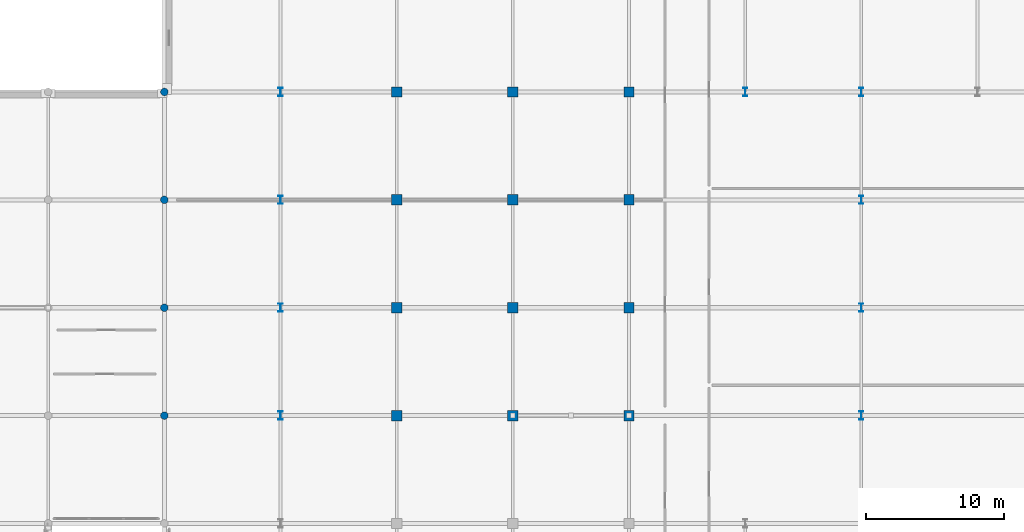
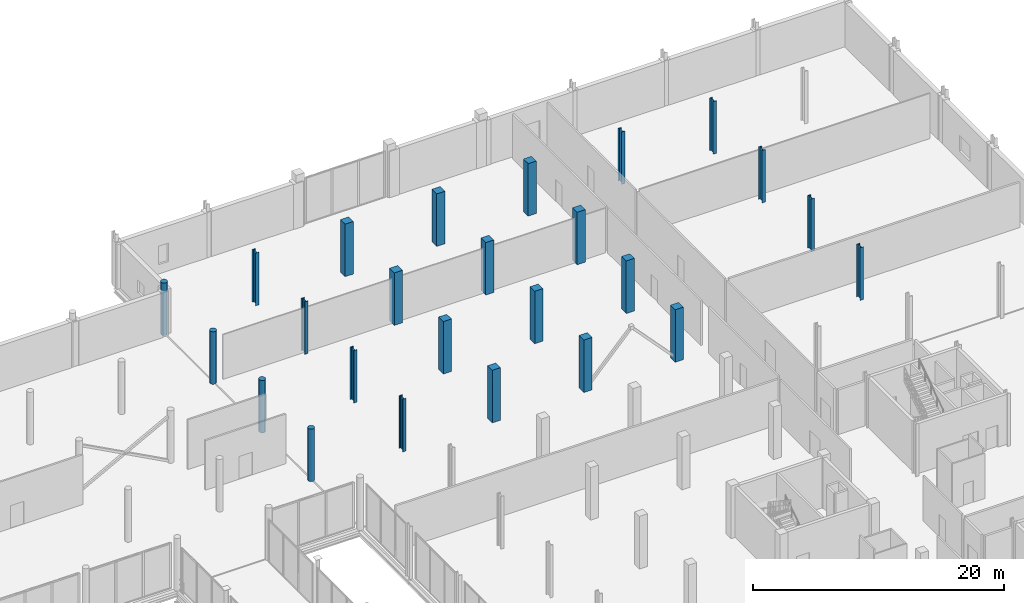
# One storey, part 23 of 105: 25 columns.
"""IFC4 building model written with IfcOpenShell, lengths in metres."""

from ifc_helpers import new_model, si_unit, direction, frame, origin, origin_2d, place, context, subcontext, project, spatial, rectangle, circle, i_section, extrude, material, material_profile, profile_set, type_object, element, save


model = new_model("IFC4")

# Units and contexts
model_context = context("Model", 3, precision=1e-05, world=origin(), true_north=direction((0.0, 1.0)))
body_context = subcontext(model_context, "Body", "Model", "MODEL_VIEW")
ifc_project = project(units=[si_unit("LENGTHUNIT", "METRE"), si_unit("AREAUNIT", "SQUARE_METRE"), si_unit("VOLUMEUNIT", "CUBIC_METRE"), si_unit("PLANEANGLEUNIT", "RADIAN"), si_unit("MASSUNIT", "GRAM", prefix="KILO")], contexts=[model_context])

# Site, building, storey
site_placement = place(None, origin())
site = spatial("IfcSite", under=ifc_project, at=site_placement, CompositionType="ELEMENT")
building_placement = place(site_placement, origin())
building = spatial("IfcBuilding", under=site, at=building_placement, Name="Nabrawat Pavilion Hospital", CompositionType="ELEMENT")
storey_placement = place(building_placement, frame((0.0, 0.0, 5.10009765625)))
storey = spatial("IfcBuildingStorey", under=building, at=storey_placement, Name="L01", CompositionType="ELEMENT", Elevation=5.10009765625)

# Columns
ifc_material_1 = material(Name="Steel S355", Category="steel")
ifc_material_profile_1 = material_profile(ifc_material_1, i_section(OverallWidth=0.300048828125, OverallDepth=0.60009765625, WebThickness=0.015380859375, FlangeThickness=0.030029296875, FilletRadius=0.027099609375, at=origin_2d()), Name="HEB 600")
ifc_profile_set_1 = profile_set([ifc_material_profile_1], Name="Steel S355")
column_type_1 = type_object("IfcColumnType", Name="Composite Steel Column HEB 600", PredefinedType="COLUMN", material=ifc_profile_set_1)
for number, where, z_axis, x_axis, name in (
    (1, (134.39990234375, 93.60009765625, 0.0), (0.0, 0.0, 1.0), (1.0, 0.0, 0.0), "L01 Structural Column G-17-N"),
    (2, (134.39990234375, 101.39990234375, 0.0), (0.0, 0.0, 1.0), (1.0, 0.0, 0.0), "L01 Structural Column G-17-P"),
    (3, (134.39990234375, 109.199951171875, 0.0), (0.0, 0.0, 1.0), (1.0, 0.0, 0.0), "L01 Structural Column G-17-Q"),
    (4, (134.39990234375, 117.0, 0.0), (0.0, 0.0, 1.0), (1.0, 0.0, 0.0), "L01 Structural Column G-17-R"),
    (5, (168.0, 117.0, 0.0), (0.0, 0.0, 1.0), (1.0, 0.0, 0.0), "L01 Structural Column G-21-R"),
    (6, (176.39990234375, 93.60009765625, 0.0), (0.0, 0.0, 1.0), (1.0, 0.0, 0.0), "L01 Structural Column G-22-N"),
    (7, (176.39990234375, 101.39990234375, 0.0), (0.0, 0.0, 1.0), (1.0, 0.0, 0.0), "L01 Structural Column G-22-P"),
    (8, (176.39990234375, 109.199951171875, 0.0), (0.0, 0.0, 1.0), (1.0, 0.0, 0.0), "L01 Structural Column G-22-Q"),
    (9, (176.39990234375, 117.0, 0.0), (0.0, 0.0, 1.0), (1.0, 0.0, 0.0), "L01 Structural Column G-22-R"),
):
    element("IfcColumn", number, at=place(storey_placement, frame(where, z_axis=z_axis, x_axis=x_axis)), inside=storey, type_object=column_type_1, Name=name, PredefinedType="COLUMN", context=body_context, shape_type="SweptSolid", body=[
        extrude(i_section(OverallWidth=0.300048828125, OverallDepth=0.60009765625, WebThickness=0.015380859375, FlangeThickness=0.030029296875, FilletRadius=0.027099609375, at=origin_2d()), origin(), (0.0, 0.0, 1.0), 5.099853515625),
    ])
ifc_material_2 = material(Name="Concrete C40/50", Category="concrete")
ifc_material_profile_2 = material_profile(ifc_material_2, circle(Radius=0.27490234375, at=origin_2d()), Name="RC D550")
ifc_profile_set_2 = profile_set([ifc_material_profile_2], Name="Concrete C40/50")
column_type_2 = type_object("IfcColumnType", Name="Diagnostic Circular RC Column D550", PredefinedType="COLUMN", material=ifc_profile_set_2)
for number, where, z_axis, x_axis, name in (
    (10, (126.0, 93.60009765625, 0.0), (0.0, 0.0, 1.0), (1.0, 0.0, 0.0), "L01 Structural Column G-16A-N"),
    (11, (126.0, 101.39990234375, 0.0), (0.0, 0.0, 1.0), (1.0, 0.0, 0.0), "L01 Structural Column G-16A-P"),
    (12, (126.0, 109.199951171875, 0.0), (0.0, 0.0, 1.0), (1.0, 0.0, 0.0), "L01 Structural Column G-16A-Q"),
    (13, (126.0, 117.0, 0.0), (0.0, 0.0, 1.0), (1.0, 0.0, 0.0), "L01 Structural Column G-16A-R"),
):
    element("IfcColumn", number, at=place(storey_placement, frame(where, z_axis=z_axis, x_axis=x_axis)), inside=storey, type_object=column_type_2, Name=name, PredefinedType="COLUMN", context=body_context, shape_type="SweptSolid", body=[
        extrude(circle(Radius=0.27490234375, at=origin_2d()), origin(), (0.0, 0.0, 1.0), 5.099853515625),
    ])
ifc_material_profile_3 = material_profile(ifc_material_2, rectangle(XDim=0.75, YDim=0.75, at=origin_2d()), Name="RC 750x750")
ifc_profile_set_3 = profile_set([ifc_material_profile_3], Name="Concrete C40/50")
column_type_3 = type_object("IfcColumnType", Name="Surgical Suite RC Column 750x750", PredefinedType="COLUMN", material=ifc_profile_set_3)
for number, where, z_axis, x_axis, name in (
    (14, (142.800048828125, 93.60009765625, 0.0), (0.0, 0.0, 1.0), (1.0, 0.0, 0.0), "L01 Structural Column G-18-N"),
    (15, (142.800048828125, 101.39990234375, 0.0), (0.0, 0.0, 1.0), (1.0, 0.0, 0.0), "L01 Structural Column G-18-P"),
    (16, (142.800048828125, 109.199951171875, 0.0), (0.0, 0.0, 1.0), (1.0, 0.0, 0.0), "L01 Structural Column G-18-Q"),
    (17, (142.800048828125, 117.0, 0.0), (0.0, 0.0, 1.0), (1.0, 0.0, 0.0), "L01 Structural Column G-18-R"),
    (18, (151.199951171875, 93.60009765625, 0.0), (0.0, 0.0, 1.0), (1.0, 0.0, 0.0), "L01 Structural Column G-19-N"),
    (19, (151.199951171875, 101.39990234375, 0.0), (0.0, 0.0, 1.0), (1.0, 0.0, 0.0), "L01 Structural Column G-19-P"),
    (20, (151.199951171875, 109.199951171875, 0.0), (0.0, 0.0, 1.0), (1.0, 0.0, 0.0), "L01 Structural Column G-19-Q"),
    (21, (151.199951171875, 117.0, 0.0), (0.0, 0.0, 1.0), (1.0, 0.0, 0.0), "L01 Structural Column G-19-R"),
    (22, (159.60009765625, 93.60009765625, 0.0), (0.0, 0.0, 1.0), (1.0, 0.0, 0.0), "L01 Structural Column G-20-N"),
    (23, (159.60009765625, 101.39990234375, 0.0), (0.0, 0.0, 1.0), (1.0, 0.0, 0.0), "L01 Structural Column G-20-P"),
    (24, (159.60009765625, 109.199951171875, 0.0), (0.0, 0.0, 1.0), (1.0, 0.0, 0.0), "L01 Structural Column G-20-Q"),
    (25, (159.60009765625, 117.0, 0.0), (0.0, 0.0, 1.0), (1.0, 0.0, 0.0), "L01 Structural Column G-20-R"),
):
    element("IfcColumn", number, at=place(storey_placement, frame(where, z_axis=z_axis, x_axis=x_axis)), inside=storey, type_object=column_type_3, Name=name, PredefinedType="COLUMN", context=body_context, shape_type="SweptSolid", body=[
        extrude(rectangle(XDim=0.75, YDim=0.75, at=origin_2d()), origin(), (0.0, 0.0, 1.0), 5.099853515625),
    ])

save(model, "model.ifc")
